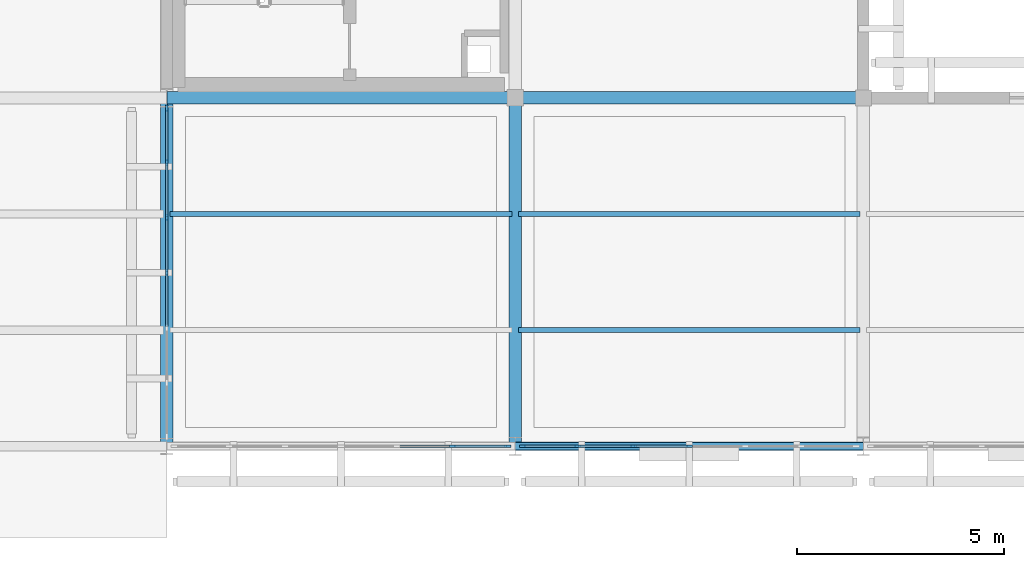
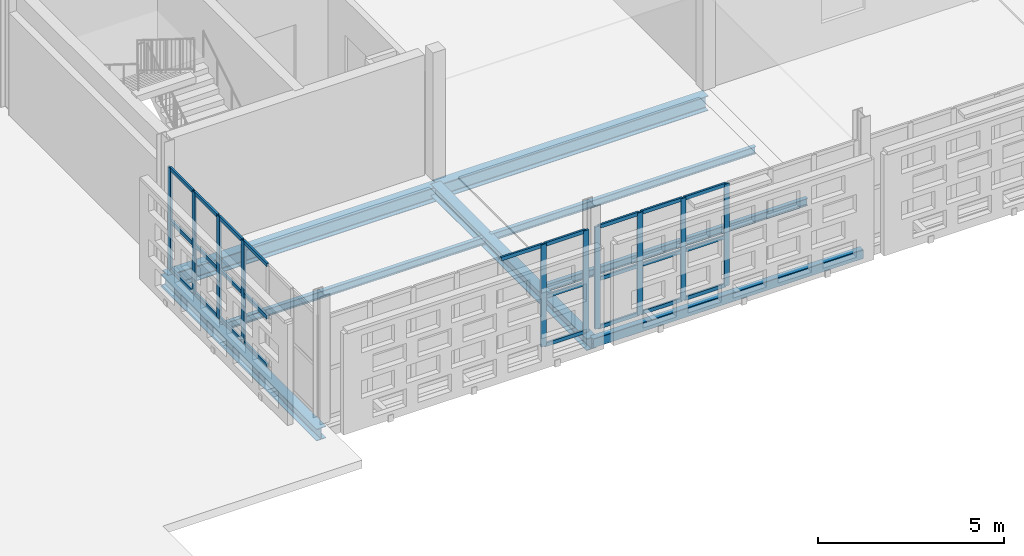
# One storey, part 35 of 166: 35 members, 8 beams, 3 elements without a shape of their own.
"""IFC4 building model written with IfcOpenShell, lengths in metres."""

from ifc_helpers import new_model, si_unit, direction, frame, origin, origin_2d, place, context, subcontext, project, spatial, rectangle, hollow_rectangle, i_section, extrude, material, layer, layer_set, material_profile, profile_set, type_object, element, aggregate, save


model = new_model("IFC4")

# Units and contexts
model_context = context("Model", 3, precision=1e-05, world=origin(), true_north=direction((0.0, 1.0)))
body_context = subcontext(model_context, "Body", "Model", "MODEL_VIEW")
ifc_project = project(units=[si_unit("LENGTHUNIT", "METRE"), si_unit("AREAUNIT", "SQUARE_METRE"), si_unit("VOLUMEUNIT", "CUBIC_METRE"), si_unit("PLANEANGLEUNIT", "RADIAN"), si_unit("MASSUNIT", "GRAM", prefix="KILO")], contexts=[model_context])

# Site, building, storey
site_placement = place(None, origin())
site = spatial("IfcSite", under=ifc_project, at=site_placement, CompositionType="ELEMENT")
building_placement = place(site_placement, origin())
building = spatial("IfcBuilding", under=site, at=building_placement, Name="Varnapada Polytechnic", CompositionType="ELEMENT")
storey_placement = place(building_placement, frame((0.0, 0.0, 9.60009765625)))
storey = spatial("IfcBuildingStorey", under=building, at=storey_placement, Name="L02", CompositionType="ELEMENT", Elevation=9.60009765625)

# Curtain wall, members
ifc_material_1 = material(Name="Double low-E laminated glass", Category="glass")
ifc_layer_1 = layer(ifc_material_1, 0.159912109375)
ifc_layer_set_1 = layer_set([ifc_layer_1], Name="Double low-E laminated glass")
curtain_wall_type_1 = type_object("IfcCurtainWallType", Name="Curtain Wall CW-01", PredefinedType="NOTDEFINED", material=ifc_layer_set_1)
curtain_wall_1_placement = place(storey_placement, origin())
curtain_wall_1 = element("IfcCurtainWall", 1, at=curtain_wall_1_placement, inside=storey, type_object=curtain_wall_type_1, Name="L02 unitised curtain wall CW-01 (158)", PredefinedType="NOTDEFINED")
ifc_material_2 = material(Name="Anodised aluminium", Category="aluminium")
ifc_material_profile_1 = material_profile(ifc_material_2, rectangle(XDim=0.06005859375, YDim=0.159912109375, at=origin_2d()), Name="ALU M60x160")
ifc_profile_set_1 = profile_set([ifc_material_profile_1], Name="Anodised aluminium")
member_type_1 = type_object("IfcMemberType", Name="Mullion M-01", PredefinedType="MULLION", material=ifc_profile_set_1)
member_1_placement = place(storey_placement, frame((58.6201171875, 84.0, 0.0), z_axis=(0.0, 0.0, 1.0), x_axis=(0.0, -1.0, 0.0)))
member_1 = element("IfcMember", 2, at=member_1_placement, type_object=member_type_1, Name="CW-01 mullion 1", PredefinedType="MULLION", context=body_context, shape_type="SweptSolid", body=[
    extrude(rectangle(XDim=0.06005859375, YDim=0.159912109375, at=origin_2d()), origin(), (0.0, 0.0, 1.0), 3.35986328125),
])
member_2_placement = place(storey_placement, frame((57.300048828125, 84.0, 0.0), z_axis=(0.0, 0.0, 1.0), x_axis=(0.0, -1.0, 0.0)))
member_2 = element("IfcMember", 3, at=member_2_placement, type_object=member_type_1, Name="CW-01 mullion 2", PredefinedType="MULLION", context=body_context, shape_type="SweptSolid", body=[
    extrude(rectangle(XDim=0.06005859375, YDim=0.159912109375, at=origin_2d()), origin(), (0.0, 0.0, 1.0), 3.35986328125),
])

ifc_layer_2 = layer(ifc_material_1, 0.159912109375)
ifc_layer_set_2 = layer_set([ifc_layer_2], Name="Double low-E laminated glass")
curtain_wall_type_2 = type_object("IfcCurtainWallType", Name="Curtain Wall CW-02", PredefinedType="NOTDEFINED", material=ifc_layer_set_2)
curtain_wall_2_placement = place(storey_placement, origin())
curtain_wall_2 = element("IfcCurtainWall", 4, at=curtain_wall_2_placement, inside=storey, type_object=curtain_wall_type_2, Name="L02 unitised curtain wall CW-02 (159)", PredefinedType="NOTDEFINED")
member_3_placement = place(storey_placement, frame((50.39990234375, 88.1875, 0.0), z_axis=(0.0, 0.0, 1.0), x_axis=(-1.0, 0.0, 0.0)))
member_3 = element("IfcMember", 5, at=member_3_placement, type_object=member_type_1, Name="CW-02 mullion 4", PredefinedType="MULLION", context=body_context, shape_type="SweptSolid", body=[
    extrude(rectangle(XDim=0.06005859375, YDim=0.159912109375, at=origin_2d()), origin(), (0.0, 0.0, 1.0), 3.35986328125),
])
member_4_placement = place(storey_placement, frame((50.39990234375, 89.5166015625, 0.0), z_axis=(0.0, 0.0, 1.0), x_axis=(-1.0, 0.0, 0.0)))
member_4 = element("IfcMember", 6, at=member_4_placement, type_object=member_type_1, Name="CW-02 mullion 5", PredefinedType="MULLION", context=body_context, shape_type="SweptSolid", body=[
    extrude(rectangle(XDim=0.06005859375, YDim=0.159912109375, at=origin_2d()), origin(), (0.0, 0.0, 1.0), 3.35986328125),
])
member_5_placement = place(storey_placement, frame((50.39990234375, 90.845947265625, 0.0), z_axis=(0.0, 0.0, 1.0), x_axis=(-1.0, 0.0, 0.0)))
member_5 = element("IfcMember", 7, at=member_5_placement, type_object=member_type_1, Name="CW-02 mullion 6", PredefinedType="MULLION", context=body_context, shape_type="SweptSolid", body=[
    extrude(rectangle(XDim=0.06005859375, YDim=0.159912109375, at=origin_2d()), origin(), (0.0, 0.0, 1.0), 3.35986328125),
])
member_6_placement = place(storey_placement, frame((50.39990234375, 92.14501953125, 0.0), z_axis=(0.0, 0.0, 1.0), x_axis=(-1.0, 0.0, 0.0)))
member_6 = element("IfcMember", 8, at=member_6_placement, type_object=member_type_1, Name="CW-02 mullion 7", PredefinedType="MULLION", context=body_context, shape_type="SweptSolid", body=[
    extrude(rectangle(XDim=0.06005859375, YDim=0.159912109375, at=origin_2d()), origin(), (0.0, 0.0, 1.0), 3.35986328125),
])

curtain_wall_3_placement = place(storey_placement, origin())
curtain_wall_3 = element("IfcCurtainWall", 9, at=curtain_wall_3_placement, inside=storey, type_object=curtain_wall_type_1, Name="L02 unitised curtain wall CW-01 (162)", PredefinedType="NOTDEFINED")
member_7_placement = place(storey_placement, frame((63.0, 84.0, 0.0), z_axis=(0.0, 0.0, 1.0), x_axis=(0.0, -1.0, 0.0)))
member_7 = element("IfcMember", 10, at=member_7_placement, type_object=member_type_1, Name="CW-01 mullion 4", PredefinedType="MULLION", context=body_context, shape_type="SweptSolid", body=[
    extrude(rectangle(XDim=0.06005859375, YDim=0.159912109375, at=origin_2d()), origin(), (0.0, 0.0, 1.0), 3.35986328125),
])
member_8_placement = place(storey_placement, frame((61.64990234375, 84.0, 0.0), z_axis=(0.0, 0.0, 1.0), x_axis=(0.0, -1.0, 0.0)))
member_8 = element("IfcMember", 11, at=member_8_placement, type_object=member_type_1, Name="CW-01 mullion 5", PredefinedType="MULLION", context=body_context, shape_type="SweptSolid", body=[
    extrude(rectangle(XDim=0.06005859375, YDim=0.159912109375, at=origin_2d()), origin(), (0.0, 0.0, 1.0), 3.35986328125),
])
member_9_placement = place(storey_placement, frame((60.300048828125, 84.0, 0.0), z_axis=(0.0, 0.0, 1.0), x_axis=(0.0, -1.0, 0.0)))
member_9 = element("IfcMember", 12, at=member_9_placement, type_object=member_type_1, Name="CW-01 mullion 6", PredefinedType="MULLION", context=body_context, shape_type="SweptSolid", body=[
    extrude(rectangle(XDim=0.06005859375, YDim=0.159912109375, at=origin_2d()), origin(), (0.0, 0.0, 1.0), 3.35986328125),
])
member_10_placement = place(storey_placement, frame((58.97998046875, 84.0, 0.0), z_axis=(0.0, 0.0, 1.0), x_axis=(0.0, -1.0, 0.0)))
member_10 = element("IfcMember", 13, at=member_10_placement, type_object=member_type_1, Name="CW-01 mullion 7", PredefinedType="MULLION", context=body_context, shape_type="SweptSolid", body=[
    extrude(rectangle(XDim=0.06005859375, YDim=0.159912109375, at=origin_2d()), origin(), (0.0, 0.0, 1.0), 3.35986328125),
])

# Beams
ifc_material_3 = material(Name="Steel S355", Category="steel")
ifc_material_profile_2 = material_profile(ifc_material_3, i_section(OverallWidth=0.300048828125, OverallDepth=0.389892578125, WebThickness=0.010986328125, FlangeThickness=0.01904296875, FilletRadius=0.027099609375, at=origin_2d()), Name="HEA 400")
ifc_profile_set_2 = profile_set([ifc_material_profile_2], Name="Steel S355")
beam_type_1 = type_object("IfcBeamType", Name="Steel roof primary girder SG-01 (HEA 400)", PredefinedType="BEAM", material=ifc_profile_set_2)
for number, where, z_axis, x_axis, name in (
    (14, (50.39990234375, 84.0, -0.465087890625), (0.0, 1.0, 0.0), (-1.0, 0.0, 0.0), "L02 beam Y 11-12 at X7"),
    (15, (58.800048828125, 84.0, -0.43505859375), (0.0, 1.0, 0.0), (-1.0, 0.0, 0.0), "L02 beam Y 11-12 at X8"),
):
    element("IfcBeam", number, at=place(storey_placement, frame(where, z_axis=z_axis, x_axis=x_axis)), inside=storey, type_object=beam_type_1, Name=name, PredefinedType="BEAM", context=body_context, shape_type="SweptSolid", body=[
        extrude(i_section(OverallWidth=0.300048828125, OverallDepth=0.389892578125, WebThickness=0.010986328125, FlangeThickness=0.01904296875, FilletRadius=0.027099609375, at=origin_2d()), origin(), (0.0, 0.0, 1.0), 8.39990234375),
    ])

# Member
ifc_material_profile_3 = material_profile(ifc_material_2, rectangle(XDim=0.06005859375, YDim=0.1201171875, at=origin_2d()), Name="ALU T60x120")
ifc_profile_set_3 = profile_set([ifc_material_profile_3], Name="Anodised aluminium")
member_type_2 = type_object("IfcMemberType", Name="Transom T-01", PredefinedType="USERDEFINED", material=ifc_profile_set_3)
member_11_placement = place(storey_placement, frame((58.590087890625, 84.0, 0.02978515625), z_axis=(-1.0, 0.0, 0.0), x_axis=(0.0, -1.0, 0.0)))
member_11 = element("IfcMember", 16, at=member_11_placement, type_object=member_type_2, Name="CW-01 transom 1.1", ObjectType="TRANSOM", PredefinedType="USERDEFINED", context=body_context, shape_type="SweptSolid", body=[
    extrude(rectangle(XDim=0.06005859375, YDim=0.1201171875, at=origin_2d()), origin(), (0.0, 0.0, 1.0), 1.260009765625),
])

member_12_placement = place(storey_placement, frame((58.590087890625, 84.0, 1.61279296875), z_axis=(-1.0, 0.0, 0.0), x_axis=(0.0, -1.0, 0.0)))
member_12 = element("IfcMember", 17, at=member_12_placement, type_object=member_type_2, Name="CW-01 transom 1.2", ObjectType="TRANSOM", PredefinedType="USERDEFINED", context=body_context, shape_type="SweptSolid", body=[
    extrude(rectangle(XDim=0.06005859375, YDim=0.1201171875, at=origin_2d()), origin(), (0.0, 0.0, 1.0), 1.260009765625),
])

member_13_placement = place(storey_placement, frame((58.590087890625, 84.0, 3.329833984375), z_axis=(-1.0, 0.0, 0.0), x_axis=(0.0, -1.0, 0.0)))
member_13 = element("IfcMember", 18, at=member_13_placement, type_object=member_type_2, Name="CW-01 transom 1.3", ObjectType="TRANSOM", PredefinedType="USERDEFINED", context=body_context, shape_type="SweptSolid", body=[
    extrude(rectangle(XDim=0.06005859375, YDim=0.1201171875, at=origin_2d()), origin(), (0.0, 0.0, 1.0), 1.260009765625),
])

member_14_placement = place(storey_placement, frame((57.27001953125, 84.0, 3.329833984375), z_axis=(-1.0, 0.0, 0.0), x_axis=(0.0, -1.0, 0.0)))
member_14 = element("IfcMember", 19, at=member_14_placement, type_object=member_type_2, Name="CW-01 transom 2.3", ObjectType="TRANSOM", PredefinedType="USERDEFINED", context=body_context, shape_type="SweptSolid", body=[
    extrude(rectangle(XDim=0.06005859375, YDim=0.1201171875, at=origin_2d()), origin(), (0.0, 0.0, 1.0), 1.2900390625),
])

aggregate(curtain_wall_1, [member_1, member_2, member_11, member_12, member_13, member_14])

member_15_placement = place(storey_placement, frame((50.39990234375, 86.888427734375, 0.02978515625), z_axis=(0.0, 1.0, 0.0), x_axis=(-1.0, 0.0, 0.0)))
member_15 = element("IfcMember", 20, at=member_15_placement, type_object=member_type_2, Name="CW-02 transom 3.1", ObjectType="TRANSOM", PredefinedType="USERDEFINED", context=body_context, shape_type="SweptSolid", body=[
    extrude(rectangle(XDim=0.06005859375, YDim=0.1201171875, at=origin_2d()), origin(), (0.0, 0.0, 1.0), 1.26904296875),
])

member_16_placement = place(storey_placement, frame((50.39990234375, 86.888427734375, 1.61279296875), z_axis=(0.0, 1.0, 0.0), x_axis=(-1.0, 0.0, 0.0)))
member_16 = element("IfcMember", 21, at=member_16_placement, type_object=member_type_2, Name="CW-02 transom 3.2", ObjectType="TRANSOM", PredefinedType="USERDEFINED", context=body_context, shape_type="SweptSolid", body=[
    extrude(rectangle(XDim=0.06005859375, YDim=0.1201171875, at=origin_2d()), origin(), (0.0, 0.0, 1.0), 1.26904296875),
])

member_17_placement = place(storey_placement, frame((50.39990234375, 86.888427734375, 3.329833984375), z_axis=(0.0, 1.0, 0.0), x_axis=(-1.0, 0.0, 0.0)))
member_17 = element("IfcMember", 22, at=member_17_placement, type_object=member_type_2, Name="CW-02 transom 3.3", ObjectType="TRANSOM", PredefinedType="USERDEFINED", context=body_context, shape_type="SweptSolid", body=[
    extrude(rectangle(XDim=0.06005859375, YDim=0.1201171875, at=origin_2d()), origin(), (0.0, 0.0, 1.0), 1.26904296875),
])

member_18_placement = place(storey_placement, frame((50.39990234375, 88.217529296875, 0.02978515625), z_axis=(0.0, 1.0, 0.0), x_axis=(-1.0, 0.0, 0.0)))
member_18 = element("IfcMember", 23, at=member_18_placement, type_object=member_type_2, Name="CW-02 transom 4.1", ObjectType="TRANSOM", PredefinedType="USERDEFINED", context=body_context, shape_type="SweptSolid", body=[
    extrude(rectangle(XDim=0.06005859375, YDim=0.1201171875, at=origin_2d()), origin(), (0.0, 0.0, 1.0), 1.26904296875),
])

member_19_placement = place(storey_placement, frame((50.39990234375, 88.217529296875, 1.61279296875), z_axis=(0.0, 1.0, 0.0), x_axis=(-1.0, 0.0, 0.0)))
member_19 = element("IfcMember", 24, at=member_19_placement, type_object=member_type_2, Name="CW-02 transom 4.2", ObjectType="TRANSOM", PredefinedType="USERDEFINED", context=body_context, shape_type="SweptSolid", body=[
    extrude(rectangle(XDim=0.06005859375, YDim=0.1201171875, at=origin_2d()), origin(), (0.0, 0.0, 1.0), 1.26904296875),
])

member_20_placement = place(storey_placement, frame((50.39990234375, 88.217529296875, 3.329833984375), z_axis=(0.0, 1.0, 0.0), x_axis=(-1.0, 0.0, 0.0)))
member_20 = element("IfcMember", 25, at=member_20_placement, type_object=member_type_2, Name="CW-02 transom 4.3", ObjectType="TRANSOM", PredefinedType="USERDEFINED", context=body_context, shape_type="SweptSolid", body=[
    extrude(rectangle(XDim=0.06005859375, YDim=0.1201171875, at=origin_2d()), origin(), (0.0, 0.0, 1.0), 1.26904296875),
])

member_21_placement = place(storey_placement, frame((50.39990234375, 89.546630859375, 0.02978515625), z_axis=(0.0, 1.0, 0.0), x_axis=(-1.0, 0.0, 0.0)))
member_21 = element("IfcMember", 26, at=member_21_placement, type_object=member_type_2, Name="CW-02 transom 5.1", ObjectType="TRANSOM", PredefinedType="USERDEFINED", context=body_context, shape_type="SweptSolid", body=[
    extrude(rectangle(XDim=0.06005859375, YDim=0.1201171875, at=origin_2d()), origin(), (0.0, 0.0, 1.0), 1.269287109375),
])

member_22_placement = place(storey_placement, frame((50.39990234375, 89.546630859375, 1.61279296875), z_axis=(0.0, 1.0, 0.0), x_axis=(-1.0, 0.0, 0.0)))
member_22 = element("IfcMember", 27, at=member_22_placement, type_object=member_type_2, Name="CW-02 transom 5.2", ObjectType="TRANSOM", PredefinedType="USERDEFINED", context=body_context, shape_type="SweptSolid", body=[
    extrude(rectangle(XDim=0.06005859375, YDim=0.1201171875, at=origin_2d()), origin(), (0.0, 0.0, 1.0), 1.269287109375),
])

member_23_placement = place(storey_placement, frame((50.39990234375, 89.546630859375, 3.329833984375), z_axis=(0.0, 1.0, 0.0), x_axis=(-1.0, 0.0, 0.0)))
member_23 = element("IfcMember", 28, at=member_23_placement, type_object=member_type_2, Name="CW-02 transom 5.3", ObjectType="TRANSOM", PredefinedType="USERDEFINED", context=body_context, shape_type="SweptSolid", body=[
    extrude(rectangle(XDim=0.06005859375, YDim=0.1201171875, at=origin_2d()), origin(), (0.0, 0.0, 1.0), 1.269287109375),
])

member_24_placement = place(storey_placement, frame((50.39990234375, 90.875732421875, 0.02978515625), z_axis=(0.0, 1.0, 0.0), x_axis=(-1.0, 0.0, 0.0)))
member_24 = element("IfcMember", 29, at=member_24_placement, type_object=member_type_2, Name="CW-02 transom 6.1", ObjectType="TRANSOM", PredefinedType="USERDEFINED", context=body_context, shape_type="SweptSolid", body=[
    extrude(rectangle(XDim=0.06005859375, YDim=0.1201171875, at=origin_2d()), origin(), (0.0, 0.0, 1.0), 1.2392578125),
])

member_25_placement = place(storey_placement, frame((50.39990234375, 90.875732421875, 1.61279296875), z_axis=(0.0, 1.0, 0.0), x_axis=(-1.0, 0.0, 0.0)))
member_25 = element("IfcMember", 30, at=member_25_placement, type_object=member_type_2, Name="CW-02 transom 6.2", ObjectType="TRANSOM", PredefinedType="USERDEFINED", context=body_context, shape_type="SweptSolid", body=[
    extrude(rectangle(XDim=0.06005859375, YDim=0.1201171875, at=origin_2d()), origin(), (0.0, 0.0, 1.0), 1.2392578125),
])

member_26_placement = place(storey_placement, frame((50.39990234375, 90.875732421875, 3.329833984375), z_axis=(0.0, 1.0, 0.0), x_axis=(-1.0, 0.0, 0.0)))
member_26 = element("IfcMember", 31, at=member_26_placement, type_object=member_type_2, Name="CW-02 transom 6.3", ObjectType="TRANSOM", PredefinedType="USERDEFINED", context=body_context, shape_type="SweptSolid", body=[
    extrude(rectangle(XDim=0.06005859375, YDim=0.1201171875, at=origin_2d()), origin(), (0.0, 0.0, 1.0), 1.2392578125),
])

aggregate(curtain_wall_2, [member_3, member_4, member_5, member_6, member_15, member_16, member_17, member_18, member_19, member_20, member_21, member_22, member_23, member_24, member_25, member_26])

member_27_placement = place(storey_placement, frame((62.969970703125, 84.0, 0.02978515625), z_axis=(-1.0, 0.0, 0.0), x_axis=(0.0, -1.0, 0.0)))
member_27 = element("IfcMember", 32, at=member_27_placement, type_object=member_type_2, Name="CW-01 transom 4.1", ObjectType="TRANSOM", PredefinedType="USERDEFINED", context=body_context, shape_type="SweptSolid", body=[
    extrude(rectangle(XDim=0.06005859375, YDim=0.1201171875, at=origin_2d()), origin(), (0.0, 0.0, 1.0), 1.2900390625),
])

member_28_placement = place(storey_placement, frame((62.969970703125, 84.0, 1.61279296875), z_axis=(-1.0, 0.0, 0.0), x_axis=(0.0, -1.0, 0.0)))
member_28 = element("IfcMember", 33, at=member_28_placement, type_object=member_type_2, Name="CW-01 transom 4.2", ObjectType="TRANSOM", PredefinedType="USERDEFINED", context=body_context, shape_type="SweptSolid", body=[
    extrude(rectangle(XDim=0.06005859375, YDim=0.1201171875, at=origin_2d()), origin(), (0.0, 0.0, 1.0), 1.2900390625),
])

member_29_placement = place(storey_placement, frame((62.969970703125, 84.0, 3.329833984375), z_axis=(-1.0, 0.0, 0.0), x_axis=(0.0, -1.0, 0.0)))
member_29 = element("IfcMember", 34, at=member_29_placement, type_object=member_type_2, Name="CW-01 transom 4.3", ObjectType="TRANSOM", PredefinedType="USERDEFINED", context=body_context, shape_type="SweptSolid", body=[
    extrude(rectangle(XDim=0.06005859375, YDim=0.1201171875, at=origin_2d()), origin(), (0.0, 0.0, 1.0), 1.2900390625),
])

member_30_placement = place(storey_placement, frame((61.6201171875, 84.0, 0.02978515625), z_axis=(-1.0, 0.0, 0.0), x_axis=(0.0, -1.0, 0.0)))
member_30 = element("IfcMember", 35, at=member_30_placement, type_object=member_type_2, Name="CW-01 transom 5.1", ObjectType="TRANSOM", PredefinedType="USERDEFINED", context=body_context, shape_type="SweptSolid", body=[
    extrude(rectangle(XDim=0.06005859375, YDim=0.1201171875, at=origin_2d()), origin(), (0.0, 0.0, 1.0), 1.2900390625),
])

member_31_placement = place(storey_placement, frame((61.6201171875, 84.0, 1.61279296875), z_axis=(-1.0, 0.0, 0.0), x_axis=(0.0, -1.0, 0.0)))
member_31 = element("IfcMember", 36, at=member_31_placement, type_object=member_type_2, Name="CW-01 transom 5.2", ObjectType="TRANSOM", PredefinedType="USERDEFINED", context=body_context, shape_type="SweptSolid", body=[
    extrude(rectangle(XDim=0.06005859375, YDim=0.1201171875, at=origin_2d()), origin(), (0.0, 0.0, 1.0), 1.2900390625),
])

member_32_placement = place(storey_placement, frame((61.6201171875, 84.0, 3.329833984375), z_axis=(-1.0, 0.0, 0.0), x_axis=(0.0, -1.0, 0.0)))
member_32 = element("IfcMember", 37, at=member_32_placement, type_object=member_type_2, Name="CW-01 transom 5.3", ObjectType="TRANSOM", PredefinedType="USERDEFINED", context=body_context, shape_type="SweptSolid", body=[
    extrude(rectangle(XDim=0.06005859375, YDim=0.1201171875, at=origin_2d()), origin(), (0.0, 0.0, 1.0), 1.2900390625),
])

member_33_placement = place(storey_placement, frame((60.27001953125, 84.0, 0.02978515625), z_axis=(-1.0, 0.0, 0.0), x_axis=(0.0, -1.0, 0.0)))
member_33 = element("IfcMember", 38, at=member_33_placement, type_object=member_type_2, Name="CW-01 transom 6.1", ObjectType="TRANSOM", PredefinedType="USERDEFINED", context=body_context, shape_type="SweptSolid", body=[
    extrude(rectangle(XDim=0.06005859375, YDim=0.1201171875, at=origin_2d()), origin(), (0.0, 0.0, 1.0), 1.260009765625),
])

member_34_placement = place(storey_placement, frame((60.27001953125, 84.0, 1.61279296875), z_axis=(-1.0, 0.0, 0.0), x_axis=(0.0, -1.0, 0.0)))
member_34 = element("IfcMember", 39, at=member_34_placement, type_object=member_type_2, Name="CW-01 transom 6.2", ObjectType="TRANSOM", PredefinedType="USERDEFINED", context=body_context, shape_type="SweptSolid", body=[
    extrude(rectangle(XDim=0.06005859375, YDim=0.1201171875, at=origin_2d()), origin(), (0.0, 0.0, 1.0), 1.260009765625),
])

member_35_placement = place(storey_placement, frame((60.27001953125, 84.0, 3.329833984375), z_axis=(-1.0, 0.0, 0.0), x_axis=(0.0, -1.0, 0.0)))
member_35 = element("IfcMember", 40, at=member_35_placement, type_object=member_type_2, Name="CW-01 transom 6.3", ObjectType="TRANSOM", PredefinedType="USERDEFINED", context=body_context, shape_type="SweptSolid", body=[
    extrude(rectangle(XDim=0.06005859375, YDim=0.1201171875, at=origin_2d()), origin(), (0.0, 0.0, 1.0), 1.260009765625),
])

aggregate(curtain_wall_3, [member_7, member_8, member_9, member_10, member_27, member_28, member_29, member_30, member_31, member_32, member_33, member_34, member_35])

# Beams
ifc_material_profile_4 = material_profile(ifc_material_3, i_section(OverallWidth=0.1201171875, OverallDepth=0.239990234375, WebThickness=0.006103515625, FlangeThickness=0.009765625, FilletRadius=0.014892578125, at=origin_2d()), Name="IPE 240")
ifc_profile_set_4 = profile_set([ifc_material_profile_4], Name="Steel S355")
beam_type_2 = type_object("IfcBeamType", Name="Workshop gallery composite joist SJ-01 (IPE 240)", PredefinedType="JOIST", material=ifc_profile_set_4)
beam_1_placement = place(storey_placement, frame((50.47998046875, 89.60009765625, -0.39013671875), z_axis=(1.0, 0.0, 0.0), x_axis=(0.0, 1.0, 0.0)))
element("IfcBeam", 41, at=beam_1_placement, inside=storey, type_object=beam_type_2, Name="L02 floor joist 7/11.2", PredefinedType="JOIST", context=body_context, shape_type="SweptSolid", body=[
    extrude(i_section(OverallWidth=0.1201171875, OverallDepth=0.239990234375, WebThickness=0.006103515625, FlangeThickness=0.009765625, FilletRadius=0.014892578125, at=origin_2d()), origin(), (0.0, 0.0, 1.0), 8.239990234375),
])
for number, where, z_axis, x_axis, name in (
    (42, (58.8798828125, 86.800048828125, -0.360107421875), (1.0, 0.0, 0.0), (0.0, 1.0, 0.0), "L02 floor joist 8/11.1"),
    (43, (58.8798828125, 89.60009765625, -0.360107421875), (1.0, 0.0, 0.0), (0.0, 1.0, 0.0), "L02 floor joist 8/11.2"),
):
    element("IfcBeam", number, at=place(storey_placement, frame(where, z_axis=z_axis, x_axis=x_axis)), inside=storey, type_object=beam_type_2, Name=name, PredefinedType="JOIST", context=body_context, shape_type="SweptSolid", body=[
        extrude(i_section(OverallWidth=0.1201171875, OverallDepth=0.239990234375, WebThickness=0.006103515625, FlangeThickness=0.009765625, FilletRadius=0.014892578125, at=origin_2d()), origin(), (0.0, 0.0, 1.0), 8.240234375),
    ])
ifc_material_profile_5 = material_profile(ifc_material_3, i_section(OverallWidth=0.300048828125, OverallDepth=0.489990234375, WebThickness=0.011962890625, FlangeThickness=0.02294921875, FilletRadius=0.027099609375, at=origin_2d()), Name="HEA 500")
ifc_profile_set_5 = profile_set([ifc_material_profile_5], Name="Steel S355")
beam_type_3 = type_object("IfcBeamType", Name="Workshop gallery edge girder CR-02 (HEA 500)", PredefinedType="BEAM", material=ifc_profile_set_5)
beam_2_placement = place(storey_placement, frame((50.39990234375, 92.39990234375, -0.51513671875), z_axis=(1.0, 0.0, 0.0), x_axis=(0.0, 1.0, 0.0)))
element("IfcBeam", 44, at=beam_2_placement, inside=storey, type_object=beam_type_3, Name="L02 beam X 7-8 at Y12", PredefinedType="BEAM", context=body_context, shape_type="SweptSolid", body=[
    extrude(i_section(OverallWidth=0.300048828125, OverallDepth=0.489990234375, WebThickness=0.011962890625, FlangeThickness=0.02294921875, FilletRadius=0.027099609375, at=origin_2d()), origin(), (0.0, 0.0, 1.0), 8.400146484375),
])
beam_3_placement = place(storey_placement, frame((58.800048828125, 92.39990234375, -0.485107421875), z_axis=(1.0, 0.0, 0.0), x_axis=(0.0, 1.0, 0.0)))
element("IfcBeam", 45, at=beam_3_placement, inside=storey, type_object=beam_type_3, Name="L02 beam X 8-9 at Y12", PredefinedType="BEAM", context=body_context, shape_type="SweptSolid", body=[
    extrude(i_section(OverallWidth=0.300048828125, OverallDepth=0.489990234375, WebThickness=0.011962890625, FlangeThickness=0.02294921875, FilletRadius=0.027099609375, at=origin_2d()), origin(), (0.0, 0.0, 1.0), 8.39990234375),
])
ifc_material_profile_6 = material_profile(ifc_material_3, hollow_rectangle(XDim=0.199951171875, YDim=0.300048828125, WallThickness=0.010009765625, InnerFilletRadius=0.010009765625, OuterFilletRadius=0.02001953125, at=origin_2d()), Name="RHS 300x200x10")
ifc_profile_set_6 = profile_set([ifc_material_profile_6], Name="Steel S355")
beam_type_4 = type_object("IfcBeamType", Name="Workshop steel spandrel tie SP-03 (RHS 300x200x10)", PredefinedType="SPANDREL", material=ifc_profile_set_6)
beam_4_placement = place(storey_placement, frame((58.800048828125, 84.0, -0.39013671875), z_axis=(1.0, 0.0, 0.0), x_axis=(0.0, 1.0, 0.0)))
element("IfcBeam", 46, at=beam_4_placement, inside=storey, type_object=beam_type_4, Name="L02 beam X 8-9 at Y11", PredefinedType="SPANDREL", context=body_context, shape_type="SweptSolid", body=[
    extrude(hollow_rectangle(XDim=0.199951171875, YDim=0.300048828125, WallThickness=0.010009765625, InnerFilletRadius=0.010009765625, OuterFilletRadius=0.02001953125, at=origin_2d()), origin(), (0.0, 0.0, 1.0), 8.39990234375),
])

save(model, "model.ifc")
